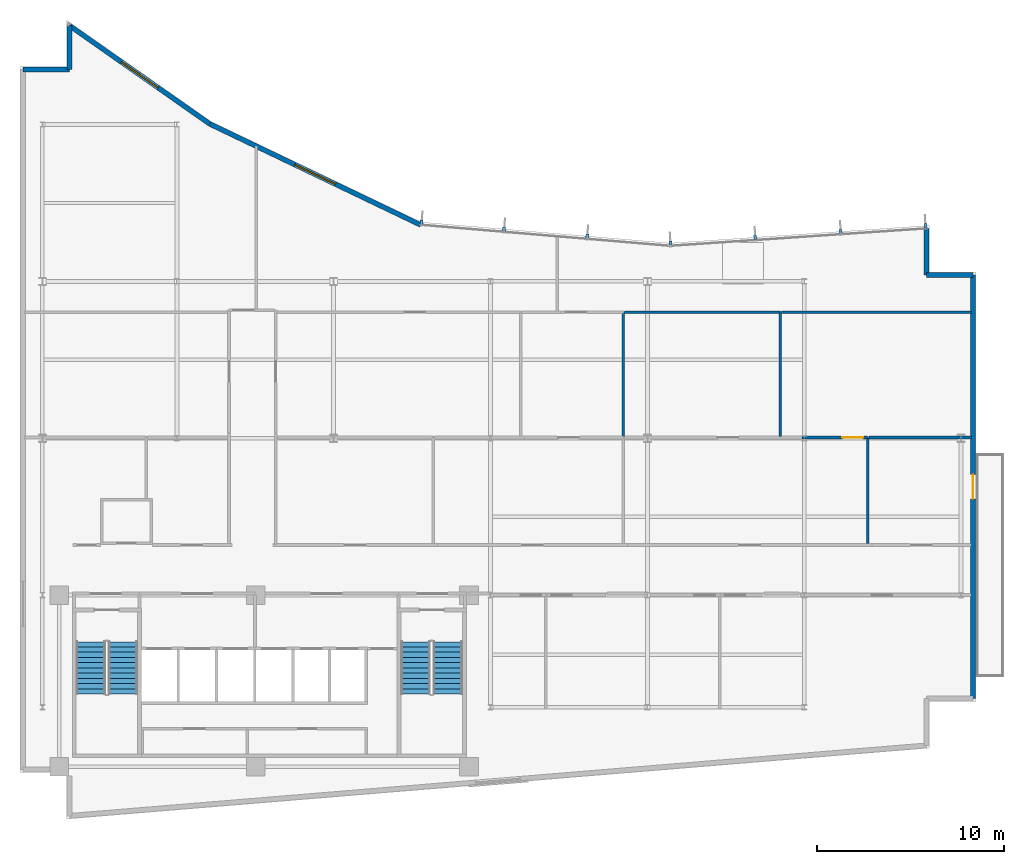
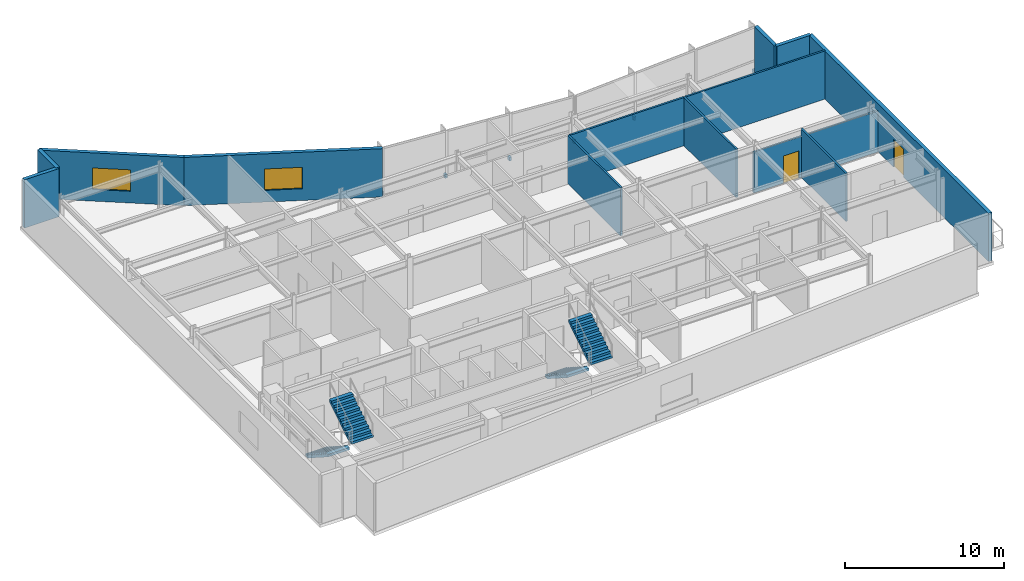
# One storey, part 11 of 14: 14 walls, 7 discrete accessories, 4 stair flights, 2 doors, 2 windows, 4 openings, 2 elements without a shape of their own.
"""IFC4 building model written with IfcOpenShell, lengths in metres."""

from ifc_helpers import new_model, si_unit, direction, frame, frame_2d, origin, origin_2d, place, context, subcontext, project, spatial, polyline, rectangle, outline, extrude, material, layer, layer_set, type_object, element, fill, aggregate, save


model = new_model("IFC4")

# Units and contexts
model_context = context("Model", 3, precision=1e-05, world=origin(), true_north=direction((0.0, 1.0)))
body_context = subcontext(model_context, "Body", "Model", "MODEL_VIEW")
ifc_project = project(units=[si_unit("LENGTHUNIT", "METRE"), si_unit("AREAUNIT", "SQUARE_METRE"), si_unit("VOLUMEUNIT", "CUBIC_METRE"), si_unit("PLANEANGLEUNIT", "RADIAN"), si_unit("MASSUNIT", "GRAM", prefix="KILO")], contexts=[model_context])

# Site, building, storey
site_placement = place(None, origin())
site = spatial("IfcSite", under=ifc_project, at=site_placement, CompositionType="ELEMENT")
building_placement = place(site_placement, origin())
building = spatial("IfcBuilding", under=site, at=building_placement, Name="Varnakote Quay Hospital", CompositionType="ELEMENT")
storey_placement = place(building_placement, frame((0.0, 0.0, 211.85009765625)))
storey = spatial("IfcBuildingStorey", under=building, at=storey_placement, Name="L52", CompositionType="ELEMENT", Elevation=211.85009765625)

# Wall, opening, door
ifc_material_1 = material(Name="Precast concrete N50 (f'c 50 MPa)", Category="concrete")
ifc_layer_1 = layer(ifc_material_1, 0.260009765625)
ifc_layer_set_1 = layer_set([ifc_layer_1], Name="Precast concrete N50 (f'c 50 MPa)")
wall_type_1 = type_object("IfcWallType", Name="WL-EXT-BRICK-260", PredefinedType="STANDARD", material=ifc_layer_set_1)
wall_1_placement = place(storey_placement, frame((51.0400390625, 6.4599609375, 0.0), z_axis=(0.0, 0.0, 1.0), x_axis=(0.0, 1.0, 0.0)))
wall_1 = element("IfcWall", 1, at=wall_1_placement, inside=storey, type_object=wall_type_1, Name="L52 Healing Terrace Portal Brick Wall", PredefinedType="STANDARD", context=body_context, shape_type="SweptSolid", body=[
    extrude(rectangle(XDim=22.679931640625, YDim=0.260009765625, at=frame_2d((11.33984375, 0.0))), origin(), (0.0, 0.0, 1.0), 3.7099609375),
])
opening_1_placement = place(wall_1_placement, frame((10.68994140625, 0.0, 0.0)))
opening_1 = element("IfcOpeningElement", 2, at=opening_1_placement, cuts=wall_1, Name="Opening DT-L52", PredefinedType="OPENING", context=body_context, shape_type="SweptSolid", body=[
    extrude(rectangle(XDim=1.300048828125, YDim=2.14990234375, at=frame_2d((0.64990234375, 1.074951171875))), frame((0.0, 0.139892578125, 0.0), z_axis=(0.0, -1.0, 0.0), x_axis=(1.0, 0.0, 0.0)), (0.0, 0.0, 1.0), 0.280029296875),
])
ifc_material_2 = material(Name="Anodised aluminium glazed terrace door", Category="aluminium")
door_type_1 = type_object("IfcDoorType", Name="DR-EXT-TERR-1300x2150", OperationType="NOTDEFINED", PredefinedType="DOOR", material=ifc_material_2)
door_1_placement = place(opening_1_placement, origin())
door_1 = element("IfcDoor", 3, at=door_1_placement, inside=storey, type_object=door_type_1, Name="L52 Waterfront Healing Terrace Door", OperationType="SINGLE_SWING_LEFT", OverallHeight=2.14990234375, OverallWidth=1.300048828125, PredefinedType="DOOR", context=body_context, shape_type="SweptSolid", body=[
    extrude(rectangle(XDim=1.300048828125, YDim=2.14990234375, at=frame_2d((0.64990234375, 1.074951171875))), frame((0.0, 0.02490234375, 0.0), z_axis=(0.0, -1.0, 0.0), x_axis=(1.0, 0.0, 0.0)), (0.0, 0.0, 1.0), 0.050048828125),
])
fill(opening_1, door_1)

# Walls
wall_2_placement = place(storey_placement, frame((51.0400390625, 29.139892578125, 0.0), z_axis=(0.0, 0.0, 1.0), x_axis=(-1.0, 0.0, 0.0)))
element("IfcWall", 4, at=wall_2_placement, inside=storey, type_object=wall_type_1, Name="L52 Brick-Faced Precast Exterior Wall", PredefinedType="STANDARD", context=body_context, shape_type="SweptSolid", body=[
    extrude(rectangle(XDim=2.5, YDim=0.260009765625, at=frame_2d((1.25, 0.0))), origin(), (0.0, 0.0, 1.0), 3.7099609375),
])
wall_3_placement = place(storey_placement, frame((48.5400390625, 29.139892578125, 0.0), z_axis=(0.0, 0.0, 1.0), x_axis=(0.0, 1.0, 0.0)))
element("IfcWall", 5, at=wall_3_placement, inside=storey, type_object=wall_type_1, Name="L52 Brick-Faced Precast Exterior Wall", PredefinedType="STANDARD", context=body_context, shape_type="SweptSolid", body=[
    extrude(rectangle(XDim=2.489013671875, YDim=0.260009765625, at=frame_2d((1.24462890625, 0.0))), origin(), (0.0, 0.0, 1.0), 3.7099609375),
])

# Wall, opening, window
wall_4_placement = place(storey_placement, frame((21.461181640625, 31.822998046875, 0.0), z_axis=(0.0, 0.0, 1.0), x_axis=(-0.901858094827, 0.432032379336, 0.0)))
wall_4 = element("IfcWall", 6, at=wall_4_placement, inside=storey, type_object=wall_type_1, Name="L52 Brick-Faced Precast Exterior Wall", PredefinedType="STANDARD", context=body_context, shape_type="SweptSolid", body=[
    extrude(rectangle(XDim=12.5322265625, YDim=0.260009765625, at=frame_2d((6.26611328125, 0.0))), origin(), (0.0, 0.0, 1.0), 3.7099609375),
])
opening_2_placement = place(wall_4_placement, frame((5.066162109375, 0.0, 0.89990234375)))
opening_2 = element("IfcOpeningElement", 7, at=opening_2_placement, cuts=wall_4, Name="Opening WN-0215", PredefinedType="OPENING", context=body_context, shape_type="SweptSolid", body=[
    extrude(rectangle(XDim=2.39990234375, YDim=1.64990234375, at=frame_2d((1.199951171875, 0.824951171875))), frame((0.0, 0.139892578125, 0.0), z_axis=(0.0, -1.0, 0.0), x_axis=(1.0, 0.0, 0.0)), (0.0, 0.0, 1.0), 0.280029296875),
])
ifc_material_3 = material(Name="Double-glazed low-E solar glass", Category="glass")
window_type = type_object("IfcWindowType", Name="WIN-CLIN-2400x1650", PartitioningType="SINGLE_PANEL", PredefinedType="WINDOW", material=ifc_material_3)
window_1_placement = place(opening_2_placement, origin())
window_1 = element("IfcWindow", 8, at=window_1_placement, inside=storey, type_object=window_type, Name="L52 Solar-Control Clinical Window", OverallHeight=1.64990234375, OverallWidth=2.39990234375, PartitioningType="SINGLE_PANEL", PredefinedType="WINDOW", context=body_context, shape_type="SweptSolid", body=[
    extrude(rectangle(XDim=2.39990234375, YDim=1.64990234375, at=frame_2d((1.199951171875, 0.824951171875))), frame((0.0, 0.030029296875, 0.0), z_axis=(0.0, -1.0, 0.0), x_axis=(1.0, 0.0, 0.0)), (0.0, 0.0, 1.0), 0.06005859375),
])
fill(opening_2, window_1)

wall_5_placement = place(storey_placement, frame((10.158935546875, 37.2373046875, 0.0), z_axis=(0.0, 0.0, 1.0), x_axis=(-0.818933702389, 0.57388813465, 0.0)))
wall_5 = element("IfcWall", 9, at=wall_5_placement, inside=storey, type_object=wall_type_1, Name="L52 Brick-Faced Precast Exterior Wall", PredefinedType="STANDARD", context=body_context, shape_type="SweptSolid", body=[
    extrude(rectangle(XDim=9.156982421875, YDim=0.260009765625, at=frame_2d((4.57861328125, 0.0))), origin(), (0.0, 0.0, 1.0), 3.7099609375),
])
opening_3_placement = place(wall_5_placement, frame((3.37841796875, 0.0, 0.89990234375)))
opening_3 = element("IfcOpeningElement", 10, at=opening_3_placement, cuts=wall_5, Name="Opening WN-0216", PredefinedType="OPENING", context=body_context, shape_type="SweptSolid", body=[
    extrude(rectangle(XDim=2.39990234375, YDim=1.64990234375, at=frame_2d((1.199951171875, 0.824951171875))), frame((0.0, 0.139892578125, 0.0), z_axis=(0.0, -1.0, 0.0), x_axis=(1.0, 0.0, 0.0)), (0.0, 0.0, 1.0), 0.280029296875),
])
window_2_placement = place(opening_3_placement, origin())
window_2 = element("IfcWindow", 11, at=window_2_placement, inside=storey, type_object=window_type, Name="L52 Solar-Control Clinical Window", OverallHeight=1.64990234375, OverallWidth=2.39990234375, PartitioningType="SINGLE_PANEL", PredefinedType="WINDOW", context=body_context, shape_type="SweptSolid", body=[
    extrude(rectangle(XDim=2.39990234375, YDim=1.64990234375, at=frame_2d((1.199951171875, 0.824951171875))), frame((0.0, 0.030029296875, 0.0), z_axis=(0.0, -1.0, 0.0), x_axis=(1.0, 0.0, 0.0)), (0.0, 0.0, 1.0), 0.06005859375),
])
fill(opening_3, window_2)

# Walls
wall_6_placement = place(storey_placement, frame((2.659912109375, 42.492431640625, 0.0), z_axis=(0.0, 0.0, 1.0), x_axis=(0.0, -1.0, 0.0)))
element("IfcWall", 12, at=wall_6_placement, inside=storey, type_object=wall_type_1, Name="L52 Brick-Faced Precast Exterior Wall", PredefinedType="STANDARD", context=body_context, shape_type="SweptSolid", body=[
    extrude(rectangle(XDim=2.3525390625, YDim=0.260009765625, at=frame_2d((1.17626953125, 0.0))), origin(), (0.0, 0.0, 1.0), 3.7099609375),
])
wall_7_placement = place(storey_placement, frame((2.659912109375, 40.139892578125, 0.0), z_axis=(0.0, 0.0, 1.0), x_axis=(-1.0, 0.0, 0.0)))
element("IfcWall", 13, at=wall_7_placement, inside=storey, type_object=wall_type_1, Name="L52 Brick-Faced Precast Exterior Wall", PredefinedType="STANDARD", context=body_context, shape_type="SweptSolid", body=[
    extrude(rectangle(XDim=2.5, YDim=0.260009765625, at=frame_2d((1.25, 0.0))), origin(), (0.0, 0.0, 1.0), 3.7099609375),
])
ifc_material_4 = material(Name="Smoke-proof clinical partition", Category="gypsum")
ifc_layer_2 = layer(ifc_material_4, 0.135009765625)
ifc_layer_set_2 = layer_set([ifc_layer_2], Name="Smoke-proof clinical partition")
wall_type_2 = type_object("IfcWallType", Name="WL-SMOKE-135", PredefinedType="PARTITIONING", material=ifc_layer_set_2)
wall_8_placement = place(storey_placement, frame((45.39990234375, 14.760009765625, 0.0), z_axis=(0.0, 0.0, 1.0), x_axis=(0.0, 1.0, 0.0)))
element("IfcWall", 14, at=wall_8_placement, inside=storey, type_object=wall_type_2, Name="L52 Clinical Interior Partition", PredefinedType="PARTITIONING", context=body_context, shape_type="SweptSolid", body=[
    extrude(rectangle(XDim=5.679931640625, YDim=0.135009765625, at=frame_2d((2.83984375, 0.0))), origin(), (0.0, 0.0, 1.0), 3.7099609375),
])

# Wall, opening, door
wall_9_placement = place(storey_placement, frame((45.39990234375, 20.43994140625, 0.0), z_axis=(0.0, 0.0, 1.0), x_axis=(-1.0, 0.0, 0.0)))
wall_9 = element("IfcWall", 15, at=wall_9_placement, inside=storey, type_object=wall_type_2, Name="L52 Clinical Interior Partition", PredefinedType="PARTITIONING", context=body_context, shape_type="SweptSolid", body=[
    extrude(rectangle(XDim=3.52587890625, YDim=0.135009765625, at=frame_2d((1.762939453125, 0.0))), origin(), (0.0, 0.0, 1.0), 3.15185546875),
])
opening_4_placement = place(wall_9_placement, frame((0.25048828125, 0.0, 0.0)))
opening_4 = element("IfcOpeningElement", 16, at=opening_4_placement, cuts=wall_9, Name="Opening D-L52-MD10", PredefinedType="OPENING", context=body_context, shape_type="SweptSolid", body=[
    extrude(rectangle(XDim=1.10009765625, YDim=2.10009765625, at=frame_2d((0.550048828125, 1.050048828125))), frame((0.0, 0.077392578125, 0.0), z_axis=(0.0, -1.0, 0.0), x_axis=(1.0, 0.0, 0.0)), (0.0, 0.0, 1.0), 0.155029296875),
])
ifc_material_5 = material(Name="Acoustic timber clinical consult door", Category="wood")
door_type_2 = type_object("IfcDoorType", Name="DR-CLIN-FD30S-1100x2100", OperationType="NOTDEFINED", PredefinedType="DOOR", material=ifc_material_5)
door_2_placement = place(opening_4_placement, origin())
door_2 = element("IfcDoor", 17, at=door_2_placement, inside=storey, type_object=door_type_2, Name="L52 Oncology Infusion Treatment Suite Door", OperationType="SINGLE_SWING_LEFT", OverallHeight=2.10009765625, OverallWidth=1.10009765625, PredefinedType="DOOR", context=body_context, shape_type="SweptSolid", body=[
    extrude(rectangle(XDim=1.10009765625, YDim=2.10009765625, at=frame_2d((0.550048828125, 1.050048828125))), frame((0.0, 0.02490234375, 0.0), z_axis=(0.0, -1.0, 0.0), x_axis=(1.0, 0.0, 0.0)), (0.0, 0.0, 1.0), 0.050048828125),
])
fill(opening_4, door_2)

# Walls
wall_10_placement = place(storey_placement, frame((50.9599609375, 20.43994140625, 0.0), z_axis=(0.0, 0.0, 1.0), x_axis=(-1.0, 0.0, 0.0)))
element("IfcWall", 18, at=wall_10_placement, inside=storey, type_object=wall_type_2, Name="L52 Clinical Interior Partition", PredefinedType="PARTITIONING", context=body_context, shape_type="SweptSolid", body=[
    extrude(rectangle(XDim=5.50244140625, YDim=0.135009765625, at=frame_2d((2.751220703125, 0.0))), origin(), (0.0, 0.0, 1.0), 3.15185546875),
])
for number, where, z_axis, x_axis, name in (
    (19, (32.31005859375, 20.49755859375, 0.0), (0.0, 0.0, 1.0), (0.0, 1.0, 0.0), "L52 Clinical Interior Partition"),
    (20, (40.719970703125, 20.49755859375, 0.0), (0.0, 0.0, 1.0), (0.0, 1.0, 0.0), "L52 Clinical Interior Partition"),
):
    element("IfcWall", number, at=place(storey_placement, frame(where, z_axis=z_axis, x_axis=x_axis)), inside=storey, type_object=wall_type_2, Name=name, PredefinedType="PARTITIONING", context=body_context, shape_type="SweptSolid", body=[
        extrude(rectangle(XDim=6.642333984375, YDim=0.135009765625, at=frame_2d((3.3212890625, 0.0))), origin(), (0.0, 0.0, 1.0), 3.7099609375),
    ])
wall_11_placement = place(storey_placement, frame((40.719970703125, 27.139892578125, 0.0), z_axis=(0.0, 0.0, 1.0), x_axis=(-1.0, 0.0, 0.0)))
element("IfcWall", 21, at=wall_11_placement, inside=storey, type_object=wall_type_2, Name="L52 Clinical Interior Partition", PredefinedType="PARTITIONING", context=body_context, shape_type="SweptSolid", body=[
    extrude(rectangle(XDim=8.3525390625, YDim=0.135009765625, at=frame_2d((4.17626953125, 0.0))), origin(), (0.0, 0.0, 1.0), 3.7099609375),
])
wall_12_placement = place(storey_placement, frame((50.9599609375, 27.139892578125, 0.0), z_axis=(0.0, 0.0, 1.0), x_axis=(-1.0, 0.0, 0.0)))
element("IfcWall", 22, at=wall_12_placement, inside=storey, type_object=wall_type_2, Name="L52 Clinical Interior Partition", PredefinedType="PARTITIONING", context=body_context, shape_type="SweptSolid", body=[
    extrude(rectangle(XDim=10.182373046875, YDim=0.135009765625, at=frame_2d((5.09130859375, 0.0))), origin(), (0.0, 0.0, 1.0), 3.7099609375),
])

# Stair, stair flights
ifc_material_6 = material(Name="Concrete N40 (f'c 40 MPa)", Category="concrete")
stair_type = type_object("IfcStairType", Name="STR-CORE-1580", PredefinedType="HALF_TURN_STAIR", material=ifc_material_6)
stair_1_placement = place(storey_placement, origin())
stair_1 = element("IfcStair", 23, at=stair_1_placement, inside=storey, type_object=stair_type, Name="L52 Fire-Isolated Exit Stair ST-01", PredefinedType="HALF_TURN_STAIR")
ifc_material_7 = material(Name="Concrete N40 (f'c 40 MPa)", Category="concrete")
ifc_layer_3 = layer(ifc_material_7, 0.159912109375)
ifc_layer_set_3 = layer_set([ifc_layer_3], Name="Concrete N40 (f'c 40 MPa)")
stair_flight_type = type_object("IfcStairFlightType", Name="FLT-CORE-1580", PredefinedType="STRAIGHT", material=ifc_layer_set_3)
stair_flight_1_placement = place(storey_placement, frame((3.7900390625, 9.5, 0.0), z_axis=(0.0, 0.0, 1.0), x_axis=(0.0, -1.0, 0.0)))
stair_flight_1 = element("IfcStairFlight", 24, at=stair_flight_1_placement, type_object=stair_flight_type, Name="ST-01 flight 1", NumberOfRisers=11, NumberOfTreads=10, PredefinedType="STRAIGHT", RiserHeight=0.179545455, TreadLength=0.28, context=body_context, shape_type="SweptSolid", body=[
    extrude(outline(polyline([(0.0, 0.0), (0.0, 0.179443359375), (0.280029296875, 0.179443359375), (0.280029296875, 0.359130859375), (0.56005859375, 0.359130859375), (0.56005859375, 0.53857421875), (0.840087890625, 0.53857421875), (0.840087890625, 0.71826171875), (1.1201171875, 0.71826171875), (1.1201171875, 0.897705078125), (1.39990234375, 0.897705078125), (1.39990234375, 1.077392578125), (1.679931640625, 1.077392578125), (1.679931640625, 1.2568359375), (1.9599609375, 1.2568359375), (1.9599609375, 1.436279296875), (2.239990234375, 1.436279296875), (2.239990234375, 1.615966796875), (2.52001953125, 1.615966796875), (2.52001953125, 1.79541015625), (2.800048828125, 1.79541015625), (2.800048828125, 1.97509765625), (2.800048828125, 1.60546875), (0.296142578125, 0.0), (0.0, 0.0)])), frame((0.0, 0.7900390625, 0.0), z_axis=(0.0, -1.0, 0.0), x_axis=(1.0, 0.0, 0.0)), (0.0, 0.0, 1.0), 1.580078125),
])
stair_flight_2_placement = place(storey_placement, frame((5.510009765625, 6.699951171875, 1.974853515625), z_axis=(0.0, 0.0, 1.0), x_axis=(0.0, 1.0, 0.0)))
stair_flight_2 = element("IfcStairFlight", 25, at=stair_flight_2_placement, type_object=stair_flight_type, Name="ST-01 flight 2", NumberOfRisers=11, NumberOfTreads=10, PredefinedType="STRAIGHT", RiserHeight=0.179545455, TreadLength=0.28, context=body_context, shape_type="SweptSolid", body=[
    extrude(outline(polyline([(0.0, 0.0), (0.0, 0.179443359375), (0.280029296875, 0.179443359375), (0.280029296875, 0.359130859375), (0.56005859375, 0.359130859375), (0.56005859375, 0.53857421875), (0.840087890625, 0.53857421875), (0.840087890625, 0.71826171875), (1.1201171875, 0.71826171875), (1.1201171875, 0.897705078125), (1.39990234375, 0.897705078125), (1.39990234375, 1.077392578125), (1.679931640625, 1.077392578125), (1.679931640625, 1.2568359375), (1.9599609375, 1.2568359375), (1.9599609375, 1.436279296875), (2.239990234375, 1.436279296875), (2.239990234375, 1.615966796875), (2.52001953125, 1.615966796875), (2.52001953125, 1.79541015625), (2.800048828125, 1.79541015625), (2.800048828125, 1.97509765625), (2.800048828125, 1.60546875), (0.296142578125, 0.0), (0.0, 0.0)])), frame((0.0, 0.7900390625, 0.0), z_axis=(0.0, -1.0, 0.0), x_axis=(1.0, 0.0, 0.0)), (0.0, 0.0, 1.0), 1.580078125),
])
aggregate(stair_1, [stair_flight_1, stair_flight_2])

stair_2_placement = place(storey_placement, origin())
stair_2 = element("IfcStair", 26, at=stair_2_placement, inside=storey, type_object=stair_type, Name="L52 Fire-Isolated Exit Stair ST-02", PredefinedType="HALF_TURN_STAIR")
stair_flight_3_placement = place(storey_placement, frame((21.18994140625, 9.5, 0.0), z_axis=(0.0, 0.0, 1.0), x_axis=(0.0, -1.0, 0.0)))
stair_flight_3 = element("IfcStairFlight", 27, at=stair_flight_3_placement, type_object=stair_flight_type, Name="ST-02 flight 1", NumberOfRisers=11, NumberOfTreads=10, PredefinedType="STRAIGHT", RiserHeight=0.179545455, TreadLength=0.28, context=body_context, shape_type="SweptSolid", body=[
    extrude(outline(polyline([(0.0, 0.0), (0.0, 0.179443359375), (0.280029296875, 0.179443359375), (0.280029296875, 0.359130859375), (0.56005859375, 0.359130859375), (0.56005859375, 0.53857421875), (0.840087890625, 0.53857421875), (0.840087890625, 0.71826171875), (1.1201171875, 0.71826171875), (1.1201171875, 0.897705078125), (1.39990234375, 0.897705078125), (1.39990234375, 1.077392578125), (1.679931640625, 1.077392578125), (1.679931640625, 1.2568359375), (1.9599609375, 1.2568359375), (1.9599609375, 1.436279296875), (2.239990234375, 1.436279296875), (2.239990234375, 1.615966796875), (2.52001953125, 1.615966796875), (2.52001953125, 1.79541015625), (2.800048828125, 1.79541015625), (2.800048828125, 1.97509765625), (2.800048828125, 1.60546875), (0.296142578125, 0.0), (0.0, 0.0)])), frame((0.0, 0.7900390625, 0.0), z_axis=(0.0, -1.0, 0.0), x_axis=(1.0, 0.0, 0.0)), (0.0, 0.0, 1.0), 1.580078125),
])
stair_flight_4_placement = place(storey_placement, frame((22.909912109375, 6.699951171875, 1.974853515625), z_axis=(0.0, 0.0, 1.0), x_axis=(0.0, 1.0, 0.0)))
stair_flight_4 = element("IfcStairFlight", 28, at=stair_flight_4_placement, type_object=stair_flight_type, Name="ST-02 flight 2", NumberOfRisers=11, NumberOfTreads=10, PredefinedType="STRAIGHT", RiserHeight=0.179545455, TreadLength=0.28, context=body_context, shape_type="SweptSolid", body=[
    extrude(outline(polyline([(0.0, 0.0), (0.0, 0.179443359375), (0.280029296875, 0.179443359375), (0.280029296875, 0.359130859375), (0.56005859375, 0.359130859375), (0.56005859375, 0.53857421875), (0.840087890625, 0.53857421875), (0.840087890625, 0.71826171875), (1.1201171875, 0.71826171875), (1.1201171875, 0.897705078125), (1.39990234375, 0.897705078125), (1.39990234375, 1.077392578125), (1.679931640625, 1.077392578125), (1.679931640625, 1.2568359375), (1.9599609375, 1.2568359375), (1.9599609375, 1.436279296875), (2.239990234375, 1.436279296875), (2.239990234375, 1.615966796875), (2.52001953125, 1.615966796875), (2.52001953125, 1.79541015625), (2.800048828125, 1.79541015625), (2.800048828125, 1.97509765625), (2.800048828125, 1.60546875), (0.296142578125, 0.0), (0.0, 0.0)])), frame((0.0, 0.7900390625, 0.0), z_axis=(0.0, -1.0, 0.0), x_axis=(1.0, 0.0, 0.0)), (0.0, 0.0, 1.0), 1.580078125),
])
aggregate(stair_2, [stair_flight_3, stair_flight_4])

# Discrete accessories
ifc_material_8 = material(Name="Anodised aluminium 6063-T6 Bronze", Category="aluminium")
discrete_accessory_type = type_object("IfcDiscreteAccessoryType", Name="ACC-FIN-BRACKET-180", PredefinedType="BRACKET", material=ifc_material_8)
for number, where, z_axis, x_axis, name in (
    (29, (48.497314453125, 31.776123046875, 0.0), (0.0, 0.0, 1.0), (-0.997696134548, -0.067841160875, 0.0), "L52 Curtain Wall Fin Fixing Bracket"),
    (30, (43.95458984375, 31.46728515625, 0.0), (0.0, 0.0, 1.0), (-0.997696134548, -0.067841160875, 0.0), "L52 Curtain Wall Fin Fixing Bracket"),
    (31, (39.379638671875, 31.15625, 0.0), (0.0, 0.0, 1.0), (-0.997696134548, -0.067841160875, 0.0), "L52 Curtain Wall Fin Fixing Bracket"),
    (32, (34.8369140625, 30.847412109375, 0.0), (0.0, 0.0, 1.0), (-0.997696134548, -0.067841160875, 0.0), "L52 Curtain Wall Fin Fixing Bracket"),
    (33, (30.376220703125, 31.220703125, 0.0), (0.0, 0.0, 1.0), (-0.996448909038, 0.084199594279, 0.0), "L52 Curtain Wall Fin Fixing Bracket"),
    (34, (25.925048828125, 31.5966796875, 0.0), (0.0, 0.0, 1.0), (-0.996448909038, 0.084199594279, 0.0), "L52 Curtain Wall Fin Fixing Bracket"),
    (35, (21.50634765625, 31.9697265625, 0.0), (0.0, 0.0, 1.0), (-0.996448909038, 0.084199594279, 0.0), "L52 Curtain Wall Fin Fixing Bracket"),
):
    element("IfcDiscreteAccessory", number, at=place(storey_placement, frame(where, z_axis=z_axis, x_axis=x_axis)), inside=storey, type_object=discrete_accessory_type, Name=name, PredefinedType="BRACKET", context=body_context, shape_type="SweptSolid", body=[
        extrude(rectangle(XDim=0.159912109375, YDim=0.239990234375, at=origin_2d()), origin(), (0.0, 0.0, 1.0), 0.280029296875),
    ])

save(model, "model.ifc")
